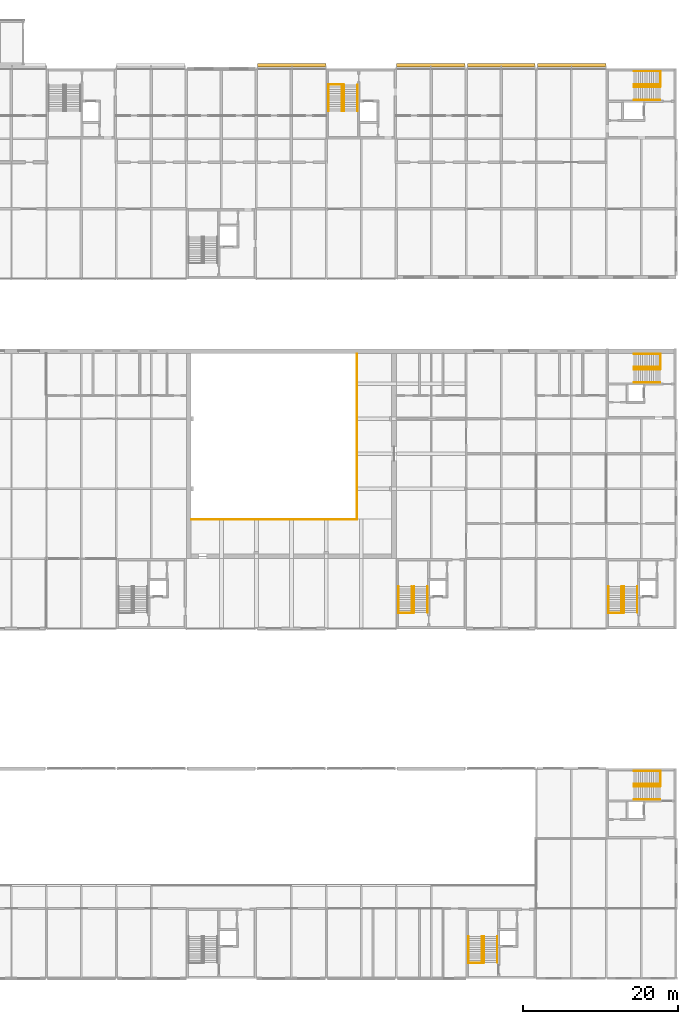
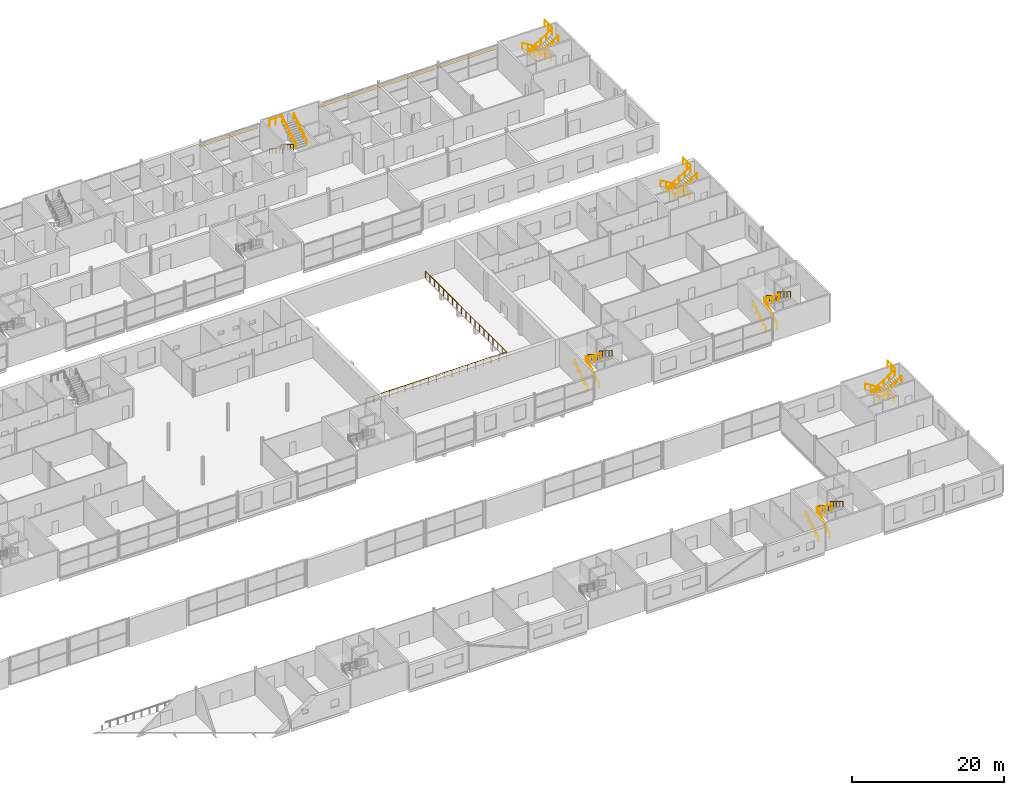
# One storey, part 96 of 97: 36 railings, 4 shading devices.
"""IFC4 building model written with IfcOpenShell, lengths in metres."""

from ifc_helpers import new_model, si_unit, direction, frame, origin, origin_2d, place, context, subcontext, project, spatial, rectangle, circle, extrude, material, layer, layer_set, type_object, element, save


model = new_model("IFC4")

# Units and contexts
model_context = context("Model", 3, precision=1e-05, world=origin(), true_north=direction((0.0, 1.0)))
body_context = subcontext(model_context, "Body", "Model", "MODEL_VIEW")
ifc_project = project(units=[si_unit("LENGTHUNIT", "METRE"), si_unit("AREAUNIT", "SQUARE_METRE"), si_unit("VOLUMEUNIT", "CUBIC_METRE"), si_unit("PLANEANGLEUNIT", "RADIAN"), si_unit("MASSUNIT", "GRAM", prefix="KILO")], contexts=[model_context])

# Site, building, storey
site_placement = place(None, origin())
site = spatial("IfcSite", under=ifc_project, at=site_placement, CompositionType="ELEMENT")
building_placement = place(site_placement, origin())
building = spatial("IfcBuilding", under=site, at=building_placement, Name="Corbel Yard City Hall", CompositionType="ELEMENT")
storey_placement = place(building_placement, frame((0.0, 0.0, 6.0)))
storey = spatial("IfcBuildingStorey", under=building, at=storey_placement, Name="L01", CompositionType="ELEMENT", Elevation=6.0)

# Railings
ifc_material_1 = material(Name="Stainless steel Grade 316", Category="steel")
railing_type_1 = type_object("IfcRailingType", Name="GR1", PredefinedType="GUARDRAIL", material=ifc_material_1)
railing_1_placement = place(storey_placement, frame((153.300048828125, 2.0, 4.5)))
element("IfcRailing", 1, at=railing_1_placement, inside=storey, type_object=railing_type_1, Name="Exit stair guard", PredefinedType="GUARDRAIL", context=body_context, shape_type="SweptSolid", body=[
    extrude(circle(Radius=0.02392578125, at=origin_2d()), frame((0.0, 0.0, 1.076171875), z_axis=(1.0, 0.0, 0.0), x_axis=(0.0, 1.0, 0.0)), (0.0, 0.0, 1.0), 1.949951171875),
    extrude(circle(Radius=0.02099609375, at=origin_2d()), origin(), (0.0, 0.0, 1.0), 1.052001953125),
    extrude(circle(Radius=0.02099609375, at=origin_2d()), frame((0.97509765625, 0.0, 0.0)), (0.0, 0.0, 1.0), 1.052001953125),
    extrude(circle(Radius=0.02099609375, at=origin_2d()), frame((1.949951171875, 0.0, 0.0)), (0.0, 0.0, 1.0), 1.052001953125),
])
railing_2_placement = place(storey_placement, frame((178.0, 26.699951171875, 4.5)))
element("IfcRailing", 2, at=railing_2_placement, inside=storey, type_object=railing_type_1, Name="Exit stair guard", PredefinedType="GUARDRAIL", context=body_context, shape_type="SweptSolid", body=[
    extrude(circle(Radius=0.02392578125, at=origin_2d()), frame((0.0, 0.0, 1.076171875), z_axis=(0.0, -1.0, 0.0), x_axis=(1.0, 0.0, 0.0)), (0.0, 0.0, 1.0), 1.949951171875),
    extrude(circle(Radius=0.02099609375, at=origin_2d()), origin(), (0.0, 0.0, 1.0), 1.052001953125),
    extrude(circle(Radius=0.02099609375, at=origin_2d()), frame((0.0, -0.97509765625, 0.0)), (0.0, 0.0, 1.0), 1.052001953125),
    extrude(circle(Radius=0.02099609375, at=origin_2d()), frame((0.0, -1.949951171875, 0.0)), (0.0, 0.0, 1.0), 1.052001953125),
])
for number, where, name in (
    (3, (144.300048828125, 47.0, 4.5), "Exit stair guard"),
    (4, (171.300048828125, 47.0, 4.5), "Exit stair guard"),
):
    element("IfcRailing", number, at=place(storey_placement, frame(where)), inside=storey, type_object=railing_type_1, Name=name, PredefinedType="GUARDRAIL", context=body_context, shape_type="SweptSolid", body=[
        extrude(circle(Radius=0.02392578125, at=origin_2d()), frame((0.0, 0.0, 1.076171875), z_axis=(1.0, 0.0, 0.0), x_axis=(0.0, 1.0, 0.0)), (0.0, 0.0, 1.0), 1.949951171875),
        extrude(circle(Radius=0.02099609375, at=origin_2d()), origin(), (0.0, 0.0, 1.0), 1.052001953125),
        extrude(circle(Radius=0.02099609375, at=origin_2d()), frame((0.97509765625, 0.0, 0.0)), (0.0, 0.0, 1.0), 1.052001953125),
        extrude(circle(Radius=0.02099609375, at=origin_2d()), frame((1.949951171875, 0.0, 0.0)), (0.0, 0.0, 1.0), 1.052001953125),
    ])
railing_3_placement = place(storey_placement, frame((178.0, 80.35009765625, 4.5)))
element("IfcRailing", 5, at=railing_3_placement, inside=storey, type_object=railing_type_1, Name="Exit stair guard", PredefinedType="GUARDRAIL", context=body_context, shape_type="SweptSolid", body=[
    extrude(circle(Radius=0.02392578125, at=origin_2d()), frame((0.0, 0.0, 1.076171875), z_axis=(0.0, -1.0, 0.0), x_axis=(1.0, 0.0, 0.0)), (0.0, 0.0, 1.0), 1.9501953125),
    extrude(circle(Radius=0.02099609375, at=origin_2d()), origin(), (0.0, 0.0, 1.0), 1.052001953125),
    extrude(circle(Radius=0.02099609375, at=origin_2d()), frame((0.0, -0.97509765625, 0.0)), (0.0, 0.0, 1.0), 1.052001953125),
    extrude(circle(Radius=0.02099609375, at=origin_2d()), frame((0.0, -1.9501953125, 0.0)), (0.0, 0.0, 1.0), 1.052001953125),
])
railing_4_placement = place(storey_placement, frame((117.64990234375, 59.050048828125, 0.0)))
element("IfcRailing", 6, at=railing_4_placement, inside=storey, type_object=railing_type_1, Name="Public gallery guard", PredefinedType="GUARDRAIL", context=body_context, shape_type="SweptSolid", body=[
    extrude(circle(Radius=0.02392578125, at=origin_2d()), frame((0.0, 0.0, 1.076171875), z_axis=(1.0, 0.0, 0.0), x_axis=(0.0, 1.0, 0.0)), (0.0, 0.0, 1.0), 21.300048828125),
    extrude(circle(Radius=0.02392578125, at=origin_2d()), frame((21.300048828125, 0.0, 1.076171875), z_axis=(0.0, 1.0, 0.0), x_axis=(-1.0, 0.0, 0.0)), (0.0, 0.0, 1.0), 21.300048828125),
    extrude(circle(Radius=0.02099609375, at=origin_2d()), origin(), (0.0, 0.0, 1.0), 1.052001953125),
    extrude(circle(Radius=0.02099609375, at=origin_2d()), frame((1.183349609375, 0.0, 0.0)), (0.0, 0.0, 1.0), 1.052001953125),
    extrude(circle(Radius=0.02099609375, at=origin_2d()), frame((2.36669921875, 0.0, 0.0)), (0.0, 0.0, 1.0), 1.052001953125),
    extrude(circle(Radius=0.02099609375, at=origin_2d()), frame((3.550048828125, 0.0, 0.0)), (0.0, 0.0, 1.0), 1.052001953125),
    extrude(circle(Radius=0.02099609375, at=origin_2d()), frame((4.7333984375, 0.0, 0.0)), (0.0, 0.0, 1.0), 1.052001953125),
    extrude(circle(Radius=0.02099609375, at=origin_2d()), frame((5.916748046875, 0.0, 0.0)), (0.0, 0.0, 1.0), 1.052001953125),
    extrude(circle(Radius=0.02099609375, at=origin_2d()), frame((7.10009765625, 0.0, 0.0)), (0.0, 0.0, 1.0), 1.052001953125),
    extrude(circle(Radius=0.02099609375, at=origin_2d()), frame((8.283447265625, 0.0, 0.0)), (0.0, 0.0, 1.0), 1.052001953125),
    extrude(circle(Radius=0.02099609375, at=origin_2d()), frame((9.466796875, 0.0, 0.0)), (0.0, 0.0, 1.0), 1.052001953125),
    extrude(circle(Radius=0.02099609375, at=origin_2d()), frame((10.64990234375, 0.0, 0.0)), (0.0, 0.0, 1.0), 1.052001953125),
    extrude(circle(Radius=0.02099609375, at=origin_2d()), frame((11.833251953125, 0.0, 0.0)), (0.0, 0.0, 1.0), 1.052001953125),
    extrude(circle(Radius=0.02099609375, at=origin_2d()), frame((13.0166015625, 0.0, 0.0)), (0.0, 0.0, 1.0), 1.052001953125),
    extrude(circle(Radius=0.02099609375, at=origin_2d()), frame((14.199951171875, 0.0, 0.0)), (0.0, 0.0, 1.0), 1.052001953125),
    extrude(circle(Radius=0.02099609375, at=origin_2d()), frame((15.38330078125, 0.0, 0.0)), (0.0, 0.0, 1.0), 1.052001953125),
    extrude(circle(Radius=0.02099609375, at=origin_2d()), frame((16.566650390625, 0.0, 0.0)), (0.0, 0.0, 1.0), 1.052001953125),
    extrude(circle(Radius=0.02099609375, at=origin_2d()), frame((17.75, 0.0, 0.0)), (0.0, 0.0, 1.0), 1.052001953125),
    extrude(circle(Radius=0.02099609375, at=origin_2d()), frame((18.933349609375, 0.0, 0.0)), (0.0, 0.0, 1.0), 1.052001953125),
    extrude(circle(Radius=0.02099609375, at=origin_2d()), frame((20.11669921875, 0.0, 0.0)), (0.0, 0.0, 1.0), 1.052001953125),
    extrude(circle(Radius=0.02099609375, at=origin_2d()), frame((21.300048828125, 0.0, 0.0)), (0.0, 0.0, 1.0), 1.052001953125),
    extrude(circle(Radius=0.02099609375, at=origin_2d()), frame((21.300048828125, 1.183349609375, 0.0)), (0.0, 0.0, 1.0), 1.052001953125),
    extrude(circle(Radius=0.02099609375, at=origin_2d()), frame((21.300048828125, 2.36669921875, 0.0)), (0.0, 0.0, 1.0), 1.052001953125),
    extrude(circle(Radius=0.02099609375, at=origin_2d()), frame((21.300048828125, 3.550048828125, 0.0)), (0.0, 0.0, 1.0), 1.052001953125),
    extrude(circle(Radius=0.02099609375, at=origin_2d()), frame((21.300048828125, 4.7333984375, 0.0)), (0.0, 0.0, 1.0), 1.052001953125),
    extrude(circle(Radius=0.02099609375, at=origin_2d()), frame((21.300048828125, 5.916748046875, 0.0)), (0.0, 0.0, 1.0), 1.052001953125),
    extrude(circle(Radius=0.02099609375, at=origin_2d()), frame((21.300048828125, 7.10009765625, 0.0)), (0.0, 0.0, 1.0), 1.052001953125),
    extrude(circle(Radius=0.02099609375, at=origin_2d()), frame((21.300048828125, 8.283447265625, 0.0)), (0.0, 0.0, 1.0), 1.052001953125),
    extrude(circle(Radius=0.02099609375, at=origin_2d()), frame((21.300048828125, 9.466796875, 0.0)), (0.0, 0.0, 1.0), 1.052001953125),
    extrude(circle(Radius=0.02099609375, at=origin_2d()), frame((21.300048828125, 10.64990234375, 0.0)), (0.0, 0.0, 1.0), 1.052001953125),
    extrude(circle(Radius=0.02099609375, at=origin_2d()), frame((21.300048828125, 11.833251953125, 0.0)), (0.0, 0.0, 1.0), 1.052001953125),
    extrude(circle(Radius=0.02099609375, at=origin_2d()), frame((21.300048828125, 13.0166015625, 0.0)), (0.0, 0.0, 1.0), 1.052001953125),
    extrude(circle(Radius=0.02099609375, at=origin_2d()), frame((21.300048828125, 14.199951171875, 0.0)), (0.0, 0.0, 1.0), 1.052001953125),
    extrude(circle(Radius=0.02099609375, at=origin_2d()), frame((21.300048828125, 15.38330078125, 0.0)), (0.0, 0.0, 1.0), 1.052001953125),
    extrude(circle(Radius=0.02099609375, at=origin_2d()), frame((21.300048828125, 16.566650390625, 0.0)), (0.0, 0.0, 1.0), 1.052001953125),
    extrude(circle(Radius=0.02099609375, at=origin_2d()), frame((21.300048828125, 17.75, 0.0)), (0.0, 0.0, 1.0), 1.052001953125),
    extrude(circle(Radius=0.02099609375, at=origin_2d()), frame((21.300048828125, 18.933349609375, 0.0)), (0.0, 0.0, 1.0), 1.052001953125),
    extrude(circle(Radius=0.02099609375, at=origin_2d()), frame((21.300048828125, 20.11669921875, 0.0)), (0.0, 0.0, 1.0), 1.052001953125),
    extrude(circle(Radius=0.02099609375, at=origin_2d()), frame((21.300048828125, 21.300048828125, 0.0)), (0.0, 0.0, 1.0), 1.052001953125),
])
railing_5_placement = place(storey_placement, frame((135.300048828125, 115.0, 4.5)))
element("IfcRailing", 7, at=railing_5_placement, inside=storey, type_object=railing_type_1, Name="Exit stair guard", PredefinedType="GUARDRAIL", context=body_context, shape_type="SweptSolid", body=[
    extrude(circle(Radius=0.02392578125, at=origin_2d()), frame((0.0, 0.0, 1.076171875), z_axis=(1.0, 0.0, 0.0), x_axis=(0.0, 1.0, 0.0)), (0.0, 0.0, 1.0), 1.949951171875),
    extrude(circle(Radius=0.02099609375, at=origin_2d()), origin(), (0.0, 0.0, 1.0), 1.052001953125),
    extrude(circle(Radius=0.02099609375, at=origin_2d()), frame((0.97509765625, 0.0, 0.0)), (0.0, 0.0, 1.0), 1.052001953125),
    extrude(circle(Radius=0.02099609375, at=origin_2d()), frame((1.949951171875, 0.0, 0.0)), (0.0, 0.0, 1.0), 1.052001953125),
])
railing_6_placement = place(storey_placement, frame((178.0, 116.699951171875, 4.5)))
element("IfcRailing", 8, at=railing_6_placement, inside=storey, type_object=railing_type_1, Name="Exit stair guard", PredefinedType="GUARDRAIL", context=body_context, shape_type="SweptSolid", body=[
    extrude(circle(Radius=0.02392578125, at=origin_2d()), frame((0.0, 0.0, 1.076171875), z_axis=(0.0, -1.0, 0.0), x_axis=(1.0, 0.0, 0.0)), (0.0, 0.0, 1.0), 1.949951171875),
    extrude(circle(Radius=0.02099609375, at=origin_2d()), origin(), (0.0, 0.0, 1.0), 1.052001953125),
    extrude(circle(Radius=0.02099609375, at=origin_2d()), frame((0.0, -0.97509765625, 0.0)), (0.0, 0.0, 1.0), 1.052001953125),
    extrude(circle(Radius=0.02099609375, at=origin_2d()), frame((0.0, -1.949951171875, 0.0)), (0.0, 0.0, 1.0), 1.052001953125),
])
railing_type_2 = type_object("IfcRailingType", Name="HR1", PredefinedType="HANDRAIL", material=ifc_material_1)
for number, where, name in (
    (9, (153.300048828125, 2.050048828125, 0.173095703125), "Exit stair handrail"),
    (10, (155.0, 2.050048828125, 0.173095703125), "Exit stair handrail"),
):
    element("IfcRailing", number, at=place(storey_placement, frame(where)), inside=storey, type_object=railing_type_2, Name=name, PredefinedType="HANDRAIL", context=body_context, shape_type="SweptSolid", body=[
        extrude(circle(Radius=0.02392578125, at=origin_2d()), frame((0.0, 0.0, 0.8759765625), z_axis=(0.0, 0.850606129759, 0.525803396734), x_axis=(-1.0, 0.0, 0.0)), (0.0, 0.0, 1.0), 3.949951171875),
        extrude(circle(Radius=0.02099609375, at=origin_2d()), origin(), (0.0, 0.0, 1.0), 0.851806640625),
        extrude(circle(Radius=0.02099609375, at=origin_2d()), frame((0.0, 0.83984375, 0.519287109375)), (0.0, 0.0, 1.0), 0.851806640625),
        extrude(circle(Radius=0.02099609375, at=origin_2d()), frame((0.0, 1.679931640625, 1.03857421875)), (0.0, 0.0, 1.0), 0.851806640625),
        extrude(circle(Radius=0.02099609375, at=origin_2d()), frame((0.0, 2.52001953125, 1.5576171875)), (0.0, 0.0, 1.0), 0.851806640625),
        extrude(circle(Radius=0.02099609375, at=origin_2d()), frame((0.0, 3.35986328125, 2.076904296875)), (0.0, 0.0, 1.0), 0.851806640625),
    ])
for number, where, name in (
    (11, (155.300048828125, 5.409912109375, 2.423095703125), "Exit stair handrail"),
    (12, (157.0, 5.409912109375, 2.423095703125), "Exit stair handrail"),
):
    element("IfcRailing", number, at=place(storey_placement, frame(where)), inside=storey, type_object=railing_type_2, Name=name, PredefinedType="HANDRAIL", context=body_context, shape_type="SweptSolid", body=[
        extrude(circle(Radius=0.02392578125, at=origin_2d()), frame((0.0, 0.0, 0.8759765625), z_axis=(0.0, -0.850606129759, 0.525803396734), x_axis=(1.0, 0.0, 0.0)), (0.0, 0.0, 1.0), 3.949951171875),
        extrude(circle(Radius=0.02099609375, at=origin_2d()), origin(), (0.0, 0.0, 1.0), 0.851806640625),
        extrude(circle(Radius=0.02099609375, at=origin_2d()), frame((0.0, -0.83984375, 0.519287109375)), (0.0, 0.0, 1.0), 0.851806640625),
        extrude(circle(Radius=0.02099609375, at=origin_2d()), frame((0.0, -1.679931640625, 1.03857421875)), (0.0, 0.0, 1.0), 0.851806640625),
        extrude(circle(Radius=0.02099609375, at=origin_2d()), frame((0.0, -2.52001953125, 1.5576171875)), (0.0, 0.0, 1.0), 0.851806640625),
        extrude(circle(Radius=0.02099609375, at=origin_2d()), frame((0.0, -3.35986328125, 2.076904296875)), (0.0, 0.0, 1.0), 0.851806640625),
    ])
for number, where, name in (
    (13, (177.949951171875, 26.699951171875, 0.173095703125), "Exit stair handrail"),
    (14, (177.949951171875, 25.0, 0.173095703125), "Exit stair handrail"),
):
    element("IfcRailing", number, at=place(storey_placement, frame(where)), inside=storey, type_object=railing_type_2, Name=name, PredefinedType="HANDRAIL", context=body_context, shape_type="SweptSolid", body=[
        extrude(circle(Radius=0.02392578125, at=origin_2d()), frame((0.0, 0.0, 0.8759765625), z_axis=(-0.850606129759, 0.0, 0.525803396734), x_axis=(0.0, -1.0, 0.0)), (0.0, 0.0, 1.0), 3.949951171875),
        extrude(circle(Radius=0.02099609375, at=origin_2d()), origin(), (0.0, 0.0, 1.0), 0.851806640625),
        extrude(circle(Radius=0.02099609375, at=origin_2d()), frame((-0.83984375, 0.0, 0.519287109375)), (0.0, 0.0, 1.0), 0.851806640625),
        extrude(circle(Radius=0.02099609375, at=origin_2d()), frame((-1.679931640625, 0.0, 1.03857421875)), (0.0, 0.0, 1.0), 0.851806640625),
        extrude(circle(Radius=0.02099609375, at=origin_2d()), frame((-2.52001953125, 0.0, 1.5576171875)), (0.0, 0.0, 1.0), 0.851806640625),
        extrude(circle(Radius=0.02099609375, at=origin_2d()), frame((-3.35986328125, 0.0, 2.076904296875)), (0.0, 0.0, 1.0), 0.851806640625),
    ])
for number, where, name in (
    (15, (174.590087890625, 24.699951171875, 2.423095703125), "Exit stair handrail"),
    (16, (174.590087890625, 23.0, 2.423095703125), "Exit stair handrail"),
):
    element("IfcRailing", number, at=place(storey_placement, frame(where)), inside=storey, type_object=railing_type_2, Name=name, PredefinedType="HANDRAIL", context=body_context, shape_type="SweptSolid", body=[
        extrude(circle(Radius=0.02392578125, at=origin_2d()), frame((0.0, 0.0, 0.8759765625), z_axis=(0.850606129759, 0.0, 0.525803396734), x_axis=(0.0, 1.0, 0.0)), (0.0, 0.0, 1.0), 3.949951171875),
        extrude(circle(Radius=0.02099609375, at=origin_2d()), origin(), (0.0, 0.0, 1.0), 0.851806640625),
        extrude(circle(Radius=0.02099609375, at=origin_2d()), frame((0.83984375, 0.0, 0.519287109375)), (0.0, 0.0, 1.0), 0.851806640625),
        extrude(circle(Radius=0.02099609375, at=origin_2d()), frame((1.679931640625, 0.0, 1.03857421875)), (0.0, 0.0, 1.0), 0.851806640625),
        extrude(circle(Radius=0.02099609375, at=origin_2d()), frame((2.52001953125, 0.0, 1.5576171875)), (0.0, 0.0, 1.0), 0.851806640625),
        extrude(circle(Radius=0.02099609375, at=origin_2d()), frame((3.35986328125, 0.0, 2.076904296875)), (0.0, 0.0, 1.0), 0.851806640625),
    ])
for number, where, name in (
    (17, (144.300048828125, 47.050048828125, 0.173095703125), "Exit stair handrail"),
    (18, (146.0, 47.050048828125, 0.173095703125), "Exit stair handrail"),
):
    element("IfcRailing", number, at=place(storey_placement, frame(where)), inside=storey, type_object=railing_type_2, Name=name, PredefinedType="HANDRAIL", context=body_context, shape_type="SweptSolid", body=[
        extrude(circle(Radius=0.02392578125, at=origin_2d()), frame((0.0, 0.0, 0.8759765625), z_axis=(0.0, 0.850606129759, 0.525803396734), x_axis=(-1.0, 0.0, 0.0)), (0.0, 0.0, 1.0), 3.949951171875),
        extrude(circle(Radius=0.02099609375, at=origin_2d()), origin(), (0.0, 0.0, 1.0), 0.851806640625),
        extrude(circle(Radius=0.02099609375, at=origin_2d()), frame((0.0, 0.83984375, 0.519287109375)), (0.0, 0.0, 1.0), 0.851806640625),
        extrude(circle(Radius=0.02099609375, at=origin_2d()), frame((0.0, 1.679931640625, 1.03857421875)), (0.0, 0.0, 1.0), 0.851806640625),
        extrude(circle(Radius=0.02099609375, at=origin_2d()), frame((0.0, 2.52001953125, 1.5576171875)), (0.0, 0.0, 1.0), 0.851806640625),
        extrude(circle(Radius=0.02099609375, at=origin_2d()), frame((0.0, 3.35986328125, 2.076904296875)), (0.0, 0.0, 1.0), 0.851806640625),
    ])
for number, where, name in (
    (19, (146.300048828125, 50.409912109375, 2.423095703125), "Exit stair handrail"),
    (20, (148.0, 50.409912109375, 2.423095703125), "Exit stair handrail"),
):
    element("IfcRailing", number, at=place(storey_placement, frame(where)), inside=storey, type_object=railing_type_2, Name=name, PredefinedType="HANDRAIL", context=body_context, shape_type="SweptSolid", body=[
        extrude(circle(Radius=0.02392578125, at=origin_2d()), frame((0.0, 0.0, 0.8759765625), z_axis=(0.0, -0.850606129759, 0.525803396734), x_axis=(1.0, 0.0, 0.0)), (0.0, 0.0, 1.0), 3.949951171875),
        extrude(circle(Radius=0.02099609375, at=origin_2d()), origin(), (0.0, 0.0, 1.0), 0.851806640625),
        extrude(circle(Radius=0.02099609375, at=origin_2d()), frame((0.0, -0.83984375, 0.519287109375)), (0.0, 0.0, 1.0), 0.851806640625),
        extrude(circle(Radius=0.02099609375, at=origin_2d()), frame((0.0, -1.679931640625, 1.03857421875)), (0.0, 0.0, 1.0), 0.851806640625),
        extrude(circle(Radius=0.02099609375, at=origin_2d()), frame((0.0, -2.52001953125, 1.5576171875)), (0.0, 0.0, 1.0), 0.851806640625),
        extrude(circle(Radius=0.02099609375, at=origin_2d()), frame((0.0, -3.35986328125, 2.076904296875)), (0.0, 0.0, 1.0), 0.851806640625),
    ])
for number, where, name in (
    (21, (171.300048828125, 47.050048828125, 0.173095703125), "Exit stair handrail"),
    (22, (173.0, 47.050048828125, 0.173095703125), "Exit stair handrail"),
):
    element("IfcRailing", number, at=place(storey_placement, frame(where)), inside=storey, type_object=railing_type_2, Name=name, PredefinedType="HANDRAIL", context=body_context, shape_type="SweptSolid", body=[
        extrude(circle(Radius=0.02392578125, at=origin_2d()), frame((0.0, 0.0, 0.8759765625), z_axis=(0.0, 0.850606129759, 0.525803396734), x_axis=(-1.0, 0.0, 0.0)), (0.0, 0.0, 1.0), 3.949951171875),
        extrude(circle(Radius=0.02099609375, at=origin_2d()), origin(), (0.0, 0.0, 1.0), 0.851806640625),
        extrude(circle(Radius=0.02099609375, at=origin_2d()), frame((0.0, 0.83984375, 0.519287109375)), (0.0, 0.0, 1.0), 0.851806640625),
        extrude(circle(Radius=0.02099609375, at=origin_2d()), frame((0.0, 1.679931640625, 1.03857421875)), (0.0, 0.0, 1.0), 0.851806640625),
        extrude(circle(Radius=0.02099609375, at=origin_2d()), frame((0.0, 2.52001953125, 1.5576171875)), (0.0, 0.0, 1.0), 0.851806640625),
        extrude(circle(Radius=0.02099609375, at=origin_2d()), frame((0.0, 3.35986328125, 2.076904296875)), (0.0, 0.0, 1.0), 0.851806640625),
    ])
for number, where, name in (
    (23, (173.300048828125, 50.409912109375, 2.423095703125), "Exit stair handrail"),
    (24, (175.0, 50.409912109375, 2.423095703125), "Exit stair handrail"),
):
    element("IfcRailing", number, at=place(storey_placement, frame(where)), inside=storey, type_object=railing_type_2, Name=name, PredefinedType="HANDRAIL", context=body_context, shape_type="SweptSolid", body=[
        extrude(circle(Radius=0.02392578125, at=origin_2d()), frame((0.0, 0.0, 0.8759765625), z_axis=(0.0, -0.850606129759, 0.525803396734), x_axis=(1.0, 0.0, 0.0)), (0.0, 0.0, 1.0), 3.949951171875),
        extrude(circle(Radius=0.02099609375, at=origin_2d()), origin(), (0.0, 0.0, 1.0), 0.851806640625),
        extrude(circle(Radius=0.02099609375, at=origin_2d()), frame((0.0, -0.83984375, 0.519287109375)), (0.0, 0.0, 1.0), 0.851806640625),
        extrude(circle(Radius=0.02099609375, at=origin_2d()), frame((0.0, -1.679931640625, 1.03857421875)), (0.0, 0.0, 1.0), 0.851806640625),
        extrude(circle(Radius=0.02099609375, at=origin_2d()), frame((0.0, -2.52001953125, 1.5576171875)), (0.0, 0.0, 1.0), 0.851806640625),
        extrude(circle(Radius=0.02099609375, at=origin_2d()), frame((0.0, -3.35986328125, 2.076904296875)), (0.0, 0.0, 1.0), 0.851806640625),
    ])
for number, where, name in (
    (25, (177.949951171875, 80.35009765625, 0.173095703125), "Exit stair handrail"),
    (26, (177.949951171875, 78.64990234375, 0.173095703125), "Exit stair handrail"),
):
    element("IfcRailing", number, at=place(storey_placement, frame(where)), inside=storey, type_object=railing_type_2, Name=name, PredefinedType="HANDRAIL", context=body_context, shape_type="SweptSolid", body=[
        extrude(circle(Radius=0.02392578125, at=origin_2d()), frame((0.0, 0.0, 0.8759765625), z_axis=(-0.850606129759, 0.0, 0.525803396734), x_axis=(0.0, -1.0, 0.0)), (0.0, 0.0, 1.0), 3.949951171875),
        extrude(circle(Radius=0.02099609375, at=origin_2d()), origin(), (0.0, 0.0, 1.0), 0.851806640625),
        extrude(circle(Radius=0.02099609375, at=origin_2d()), frame((-0.83984375, 0.0, 0.519287109375)), (0.0, 0.0, 1.0), 0.851806640625),
        extrude(circle(Radius=0.02099609375, at=origin_2d()), frame((-1.679931640625, 0.0, 1.03857421875)), (0.0, 0.0, 1.0), 0.851806640625),
        extrude(circle(Radius=0.02099609375, at=origin_2d()), frame((-2.52001953125, 0.0, 1.5576171875)), (0.0, 0.0, 1.0), 0.851806640625),
        extrude(circle(Radius=0.02099609375, at=origin_2d()), frame((-3.35986328125, 0.0, 2.076904296875)), (0.0, 0.0, 1.0), 0.851806640625),
    ])
for number, where, name in (
    (27, (174.590087890625, 78.35009765625, 2.423095703125), "Exit stair handrail"),
    (28, (174.590087890625, 76.64990234375, 2.423095703125), "Exit stair handrail"),
):
    element("IfcRailing", number, at=place(storey_placement, frame(where)), inside=storey, type_object=railing_type_2, Name=name, PredefinedType="HANDRAIL", context=body_context, shape_type="SweptSolid", body=[
        extrude(circle(Radius=0.02392578125, at=origin_2d()), frame((0.0, 0.0, 0.8759765625), z_axis=(0.850606129759, 0.0, 0.525803396734), x_axis=(0.0, 1.0, 0.0)), (0.0, 0.0, 1.0), 3.949951171875),
        extrude(circle(Radius=0.02099609375, at=origin_2d()), origin(), (0.0, 0.0, 1.0), 0.851806640625),
        extrude(circle(Radius=0.02099609375, at=origin_2d()), frame((0.83984375, 0.0, 0.519287109375)), (0.0, 0.0, 1.0), 0.851806640625),
        extrude(circle(Radius=0.02099609375, at=origin_2d()), frame((1.679931640625, 0.0, 1.03857421875)), (0.0, 0.0, 1.0), 0.851806640625),
        extrude(circle(Radius=0.02099609375, at=origin_2d()), frame((2.52001953125, 0.0, 1.5576171875)), (0.0, 0.0, 1.0), 0.851806640625),
        extrude(circle(Radius=0.02099609375, at=origin_2d()), frame((3.35986328125, 0.0, 2.076904296875)), (0.0, 0.0, 1.0), 0.851806640625),
    ])
for number, where, name in (
    (29, (135.300048828125, 114.949951171875, 0.173095703125), "Exit stair handrail"),
    (30, (137.0, 114.949951171875, 0.173095703125), "Exit stair handrail"),
):
    element("IfcRailing", number, at=place(storey_placement, frame(where)), inside=storey, type_object=railing_type_2, Name=name, PredefinedType="HANDRAIL", context=body_context, shape_type="SweptSolid", body=[
        extrude(circle(Radius=0.02392578125, at=origin_2d()), frame((0.0, 0.0, 0.8759765625), z_axis=(0.0, -0.850606129759, 0.525803396734), x_axis=(1.0, 0.0, 0.0)), (0.0, 0.0, 1.0), 3.949951171875),
        extrude(circle(Radius=0.02099609375, at=origin_2d()), origin(), (0.0, 0.0, 1.0), 0.851806640625),
        extrude(circle(Radius=0.02099609375, at=origin_2d()), frame((0.0, -0.83984375, 0.519287109375)), (0.0, 0.0, 1.0), 0.851806640625),
        extrude(circle(Radius=0.02099609375, at=origin_2d()), frame((0.0, -1.679931640625, 1.03857421875)), (0.0, 0.0, 1.0), 0.851806640625),
        extrude(circle(Radius=0.02099609375, at=origin_2d()), frame((0.0, -2.52001953125, 1.5576171875)), (0.0, 0.0, 1.0), 0.851806640625),
        extrude(circle(Radius=0.02099609375, at=origin_2d()), frame((0.0, -3.35986328125, 2.076904296875)), (0.0, 0.0, 1.0), 0.851806640625),
    ])
for number, where, name in (
    (31, (137.300048828125, 111.590087890625, 2.423095703125), "Exit stair handrail"),
    (32, (139.0, 111.590087890625, 2.423095703125), "Exit stair handrail"),
):
    element("IfcRailing", number, at=place(storey_placement, frame(where)), inside=storey, type_object=railing_type_2, Name=name, PredefinedType="HANDRAIL", context=body_context, shape_type="SweptSolid", body=[
        extrude(circle(Radius=0.02392578125, at=origin_2d()), frame((0.0, 0.0, 0.8759765625), z_axis=(0.0, 0.850606129759, 0.525803396734), x_axis=(-1.0, 0.0, 0.0)), (0.0, 0.0, 1.0), 3.949951171875),
        extrude(circle(Radius=0.02099609375, at=origin_2d()), origin(), (0.0, 0.0, 1.0), 0.851806640625),
        extrude(circle(Radius=0.02099609375, at=origin_2d()), frame((0.0, 0.83984375, 0.519287109375)), (0.0, 0.0, 1.0), 0.851806640625),
        extrude(circle(Radius=0.02099609375, at=origin_2d()), frame((0.0, 1.679931640625, 1.03857421875)), (0.0, 0.0, 1.0), 0.851806640625),
        extrude(circle(Radius=0.02099609375, at=origin_2d()), frame((0.0, 2.52001953125, 1.5576171875)), (0.0, 0.0, 1.0), 0.851806640625),
        extrude(circle(Radius=0.02099609375, at=origin_2d()), frame((0.0, 3.35986328125, 2.076904296875)), (0.0, 0.0, 1.0), 0.851806640625),
    ])
for number, where, name in (
    (33, (177.949951171875, 116.699951171875, 0.173095703125), "Exit stair handrail"),
    (34, (177.949951171875, 115.0, 0.173095703125), "Exit stair handrail"),
):
    element("IfcRailing", number, at=place(storey_placement, frame(where)), inside=storey, type_object=railing_type_2, Name=name, PredefinedType="HANDRAIL", context=body_context, shape_type="SweptSolid", body=[
        extrude(circle(Radius=0.02392578125, at=origin_2d()), frame((0.0, 0.0, 0.8759765625), z_axis=(-0.850606129759, 0.0, 0.525803396734), x_axis=(0.0, -1.0, 0.0)), (0.0, 0.0, 1.0), 3.949951171875),
        extrude(circle(Radius=0.02099609375, at=origin_2d()), origin(), (0.0, 0.0, 1.0), 0.851806640625),
        extrude(circle(Radius=0.02099609375, at=origin_2d()), frame((-0.83984375, 0.0, 0.519287109375)), (0.0, 0.0, 1.0), 0.851806640625),
        extrude(circle(Radius=0.02099609375, at=origin_2d()), frame((-1.679931640625, 0.0, 1.03857421875)), (0.0, 0.0, 1.0), 0.851806640625),
        extrude(circle(Radius=0.02099609375, at=origin_2d()), frame((-2.52001953125, 0.0, 1.5576171875)), (0.0, 0.0, 1.0), 0.851806640625),
        extrude(circle(Radius=0.02099609375, at=origin_2d()), frame((-3.35986328125, 0.0, 2.076904296875)), (0.0, 0.0, 1.0), 0.851806640625),
    ])
for number, where, name in (
    (35, (174.590087890625, 114.699951171875, 2.423095703125), "Exit stair handrail"),
    (36, (174.590087890625, 113.0, 2.423095703125), "Exit stair handrail"),
):
    element("IfcRailing", number, at=place(storey_placement, frame(where)), inside=storey, type_object=railing_type_2, Name=name, PredefinedType="HANDRAIL", context=body_context, shape_type="SweptSolid", body=[
        extrude(circle(Radius=0.02392578125, at=origin_2d()), frame((0.0, 0.0, 0.8759765625), z_axis=(0.850606129759, 0.0, 0.525803396734), x_axis=(0.0, 1.0, 0.0)), (0.0, 0.0, 1.0), 3.949951171875),
        extrude(circle(Radius=0.02099609375, at=origin_2d()), origin(), (0.0, 0.0, 1.0), 0.851806640625),
        extrude(circle(Radius=0.02099609375, at=origin_2d()), frame((0.83984375, 0.0, 0.519287109375)), (0.0, 0.0, 1.0), 0.851806640625),
        extrude(circle(Radius=0.02099609375, at=origin_2d()), frame((1.679931640625, 0.0, 1.03857421875)), (0.0, 0.0, 1.0), 0.851806640625),
        extrude(circle(Radius=0.02099609375, at=origin_2d()), frame((2.52001953125, 0.0, 1.5576171875)), (0.0, 0.0, 1.0), 0.851806640625),
        extrude(circle(Radius=0.02099609375, at=origin_2d()), frame((3.35986328125, 0.0, 2.076904296875)), (0.0, 0.0, 1.0), 0.851806640625),
    ])

# Shading devices
ifc_material_2 = material(Name="Anodised aluminium", Category="aluminium")
ifc_layer = layer(ifc_material_2, 0.050048828125)
ifc_layer_set = layer_set([ifc_layer], Name="Anodised aluminium")
shading_device_type = type_object("IfcShadingDeviceType", Name="LV2", PredefinedType="JALOUSIE", material=ifc_layer_set)
for number, where, z_axis, x_axis, name in (
    (37, (130.56494140625, 117.47509765625, 3.033203125), (0.0, 0.0, 1.0), (1.0, 0.0, 0.0), "Louvre blade"),
    (38, (148.43505859375, 117.47509765625, 3.033203125), (0.0, 0.0, 1.0), (1.0, 0.0, 0.0), "Louvre blade"),
):
    element("IfcShadingDevice", number, at=place(storey_placement, frame(where, z_axis=z_axis, x_axis=x_axis)), inside=storey, type_object=shading_device_type, Name=name, PredefinedType="JALOUSIE", context=body_context, shape_type="SweptSolid", body=[
        extrude(rectangle(XDim=8.804931640625, YDim=0.449951171875, at=origin_2d()), origin(), (0.0, 0.0, 1.0), 0.050048828125),
    ])
shading_device_1_placement = place(storey_placement, frame((157.5, 117.47509765625, 3.033203125), z_axis=(0.0, 0.0, 1.0), x_axis=(1.0, 0.0, 0.0)))
element("IfcShadingDevice", 39, at=shading_device_1_placement, inside=storey, type_object=shading_device_type, Name="Louvre blade", PredefinedType="JALOUSIE", context=body_context, shape_type="SweptSolid", body=[
    extrude(rectangle(XDim=8.675048828125, YDim=0.449951171875, at=origin_2d()), origin(), (0.0, 0.0, 1.0), 0.050048828125),
])
shading_device_2_placement = place(storey_placement, frame((166.56494140625, 117.47509765625, 3.033203125), z_axis=(0.0, 0.0, 1.0), x_axis=(1.0, 0.0, 0.0)))
element("IfcShadingDevice", 40, at=shading_device_2_placement, inside=storey, type_object=shading_device_type, Name="Louvre blade", PredefinedType="JALOUSIE", context=body_context, shape_type="SweptSolid", body=[
    extrude(rectangle(XDim=8.804931640625, YDim=0.449951171875, at=origin_2d()), origin(), (0.0, 0.0, 1.0), 0.050048828125),
])

save(model, "model.ifc")
